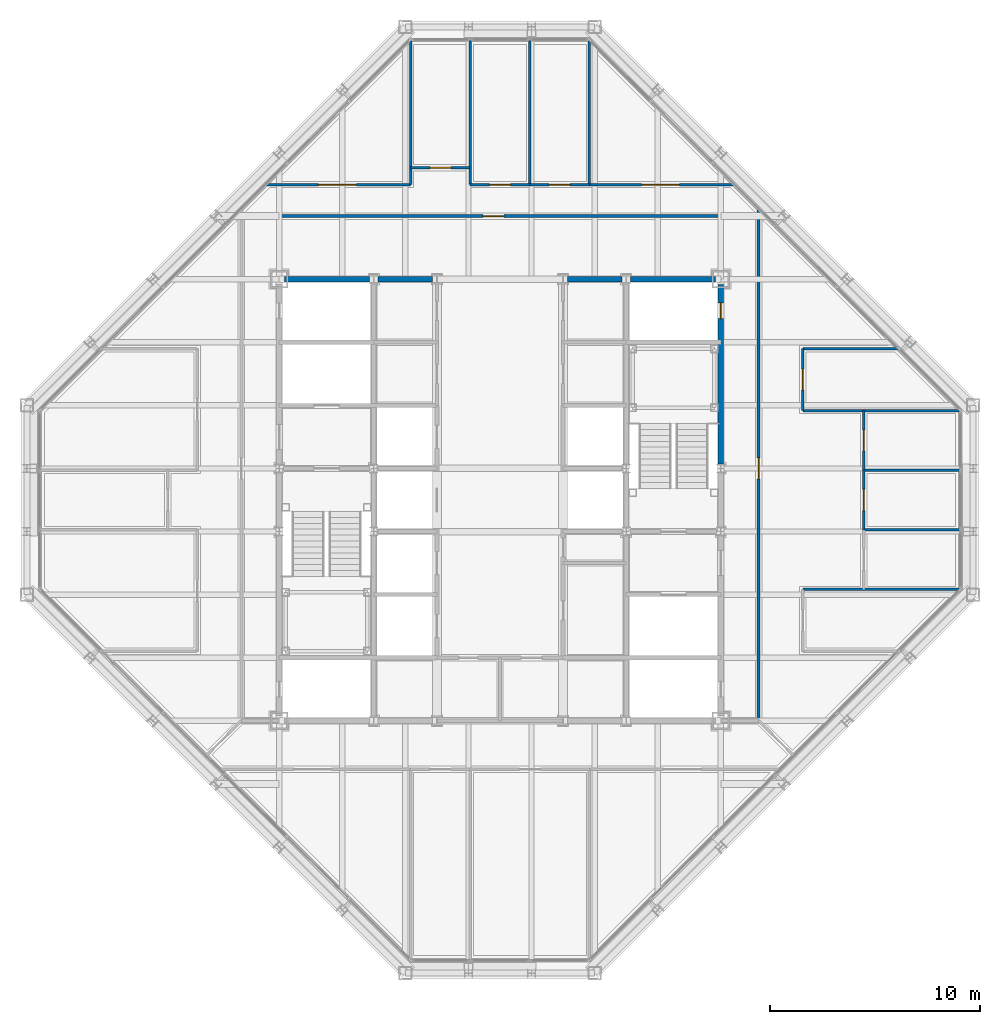
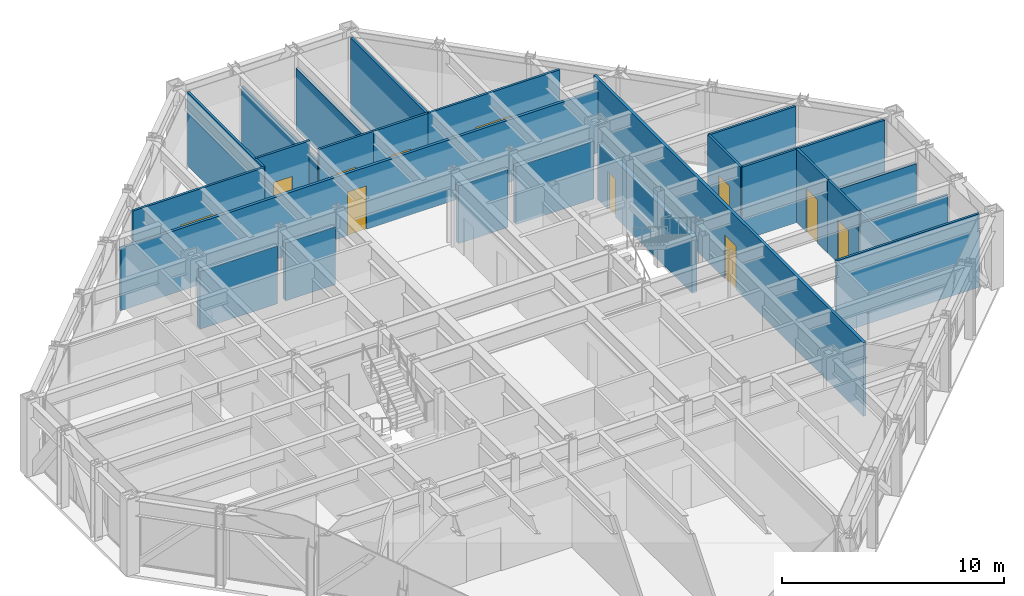
# One storey, part 12 of 15: 24 walls, 11 doors, 11 openings.
"""IFC4 building model written with IfcOpenShell, lengths in metres."""

from ifc_helpers import new_model, si_unit, direction, frame, frame_2d, origin, place, context, subcontext, project, spatial, rectangle, extrude, material, layer, layer_set, type_object, element, fill, save


model = new_model("IFC4")

# Units and contexts
model_context = context("Model", 3, precision=1e-05, world=origin(), true_north=direction((0.0, 1.0)))
body_context = subcontext(model_context, "Body", "Model", "MODEL_VIEW")
ifc_project = project(units=[si_unit("LENGTHUNIT", "METRE"), si_unit("AREAUNIT", "SQUARE_METRE"), si_unit("VOLUMEUNIT", "CUBIC_METRE"), si_unit("PLANEANGLEUNIT", "RADIAN"), si_unit("MASSUNIT", "GRAM", prefix="KILO")], contexts=[model_context])

# Site, building, storey
site_placement = place(None, origin())
site = spatial("IfcSite", under=ifc_project, at=site_placement, CompositionType="ELEMENT")
building_placement = place(site_placement, origin())
building = spatial("IfcBuilding", under=site, at=building_placement, Name="Chuquiago Exchange Tower", CompositionType="ELEMENT")
storey_placement = place(building_placement, frame((0.0, 0.0, 291.60009765625)))
storey = spatial("IfcBuildingStorey", under=building, at=storey_placement, Name="L65", CompositionType="ELEMENT", Elevation=291.60009765625)

# Walls
ifc_material_1 = material(Name="Concrete masonry, fully grouted", Category="masonry")
ifc_layer_1 = layer(ifc_material_1, 0.25)
ifc_layer_set_1 = layer_set([ifc_layer_1], Name="W1 core wall 250")
wall_type_1 = type_object("IfcWallType", Name="W1 core wall 250", PredefinedType="SOLIDWALL", material=ifc_layer_set_1)
wall_1_placement = place(storey_placement, frame((12.25, 33.0, 0.0), z_axis=(0.0, 0.0, 1.0), x_axis=(1.0, 0.0, 0.0)))
element("IfcWall", 1, at=wall_1_placement, inside=storey, type_object=wall_type_1, Name="CW-L65-11-0", PredefinedType="SOLIDWALL", context=body_context, shape_type="SweptSolid", body=[
    extrude(rectangle(XDim=4.041748046875, YDim=0.25, at=frame_2d((2.02099609375, 0.0))), origin(), (0.0, 0.0, 1.0), 3.181396484375),
])
for number, where, z_axis, x_axis, name in (
    (2, (16.708251953125, 33.0, 0.0), (0.0, 0.0, 1.0), (1.0, 0.0, 0.0), "CW-L65-11-1"),
    (3, (25.708251953125, 33.0, 0.0), (0.0, 0.0, 1.0), (1.0, 0.0, 0.0), "CW-L65-12-0"),
):
    element("IfcWall", number, at=place(storey_placement, frame(where, z_axis=z_axis, x_axis=x_axis)), inside=storey, type_object=wall_type_1, Name=name, PredefinedType="SOLIDWALL", context=body_context, shape_type="SweptSolid", body=[
        extrude(rectangle(XDim=2.58349609375, YDim=0.25, at=frame_2d((1.291748046875, 0.0))), origin(), (0.0, 0.0, 1.0), 3.181396484375),
    ])
wall_2_placement = place(storey_placement, frame((28.708251953125, 33.0, 0.0), z_axis=(0.0, 0.0, 1.0), x_axis=(1.0, 0.0, 0.0)))
element("IfcWall", 4, at=wall_2_placement, inside=storey, type_object=wall_type_1, Name="CW-L65-12-1", PredefinedType="SOLIDWALL", context=body_context, shape_type="SweptSolid", body=[
    extrude(rectangle(XDim=4.041748046875, YDim=0.25, at=frame_2d((2.02099609375, 0.0))), origin(), (0.0, 0.0, 1.0), 3.181396484375),
])

# Wall, opening, door
wall_3_placement = place(storey_placement, frame((33.0, 24.222412109375, 0.0), z_axis=(0.0, 0.0, 1.0), x_axis=(0.0, 1.0, 0.0)))
wall_3 = element("IfcWall", 5, at=wall_3_placement, inside=storey, type_object=wall_type_1, Name="CW-L65-25-2", PredefinedType="SOLIDWALL", context=body_context, shape_type="SweptSolid", body=[
    extrude(rectangle(XDim=8.527587890625, YDim=0.25, at=frame_2d((4.263671875, 0.0))), origin(), (0.0, 0.0, 1.0), 3.11279296875),
])
opening_1_placement = place(wall_3_placement, frame((6.902587890625, 0.0, 0.0)))
opening_1 = element("IfcOpeningElement", 6, at=opening_1_placement, cuts=wall_3, Name="Opening L65-010", PredefinedType="OPENING", context=body_context, shape_type="SweptSolid", body=[
    extrude(rectangle(XDim=0.75, YDim=2.10009765625, at=frame_2d((0.375, 1.050048828125))), frame((0.0, 0.135009765625, 0.0), z_axis=(0.0, -1.0, 0.0), x_axis=(1.0, 0.0, 0.0)), (0.0, 0.0, 1.0), 0.27001953125),
])
ifc_material_2 = material(Name="Steel door, painted", Category="steel")
door_type_1 = type_object("IfcDoorType", Name="D6 riser access door 750x2100", OperationType="SINGLE_SWING_LEFT", PredefinedType="DOOR", material=ifc_material_2)
door_1_placement = place(opening_1_placement, origin())
door_1 = element("IfcDoor", 7, at=door_1_placement, inside=storey, type_object=door_type_1, Name="Riser RE2 door", OperationType="SINGLE_SWING_RIGHT", OverallHeight=2.10009765625, OverallWidth=0.75, PredefinedType="DOOR", context=body_context, shape_type="SweptSolid", body=[
    extrude(rectangle(XDim=0.75, YDim=2.10009765625, at=frame_2d((0.375, 1.050048828125))), frame((0.0, 0.02490234375, 0.0), z_axis=(0.0, -1.0, 0.0), x_axis=(1.0, 0.0, 0.0)), (0.0, 0.0, 1.0), 0.050048828125),
])
fill(opening_1, door_1)

ifc_material_3 = material(Name="Gypsum board on steel studs, acoustic insulation", Category="steel")
ifc_layer_2 = layer(ifc_material_3, 0.14990234375)
ifc_layer_set_2 = layer_set([ifc_layer_2], Name="W11 corridor wall 150")
wall_type_2 = type_object("IfcWallType", Name="W11 corridor wall 150", PredefinedType="PARTITIONING", material=ifc_layer_set_2)
wall_4_placement = place(storey_placement, frame((9.885498046875, 36.0, 0.0), z_axis=(0.0, 0.0, 1.0), x_axis=(1.0, 0.0, 0.0)))
wall_4 = element("IfcWall", 8, at=wall_4_placement, inside=storey, type_object=wall_type_2, Name="PW-L65-GN0", PredefinedType="PARTITIONING", context=body_context, shape_type="SweptSolid", body=[
    extrude(rectangle(XDim=25.22900390625, YDim=0.14990234375, at=frame_2d((12.614501953125, 0.0))), origin(), (0.0, 0.0, 1.0), 3.427734375),
])
opening_2_placement = place(wall_4_placement, frame((11.800048828125, 0.0, 0.0)))
opening_2 = element("IfcOpeningElement", 9, at=opening_2_placement, cuts=wall_4, Name="Opening L65-040", PredefinedType="OPENING", context=body_context, shape_type="SweptSolid", body=[
    extrude(rectangle(XDim=1.0, YDim=2.39990234375, at=frame_2d((0.5, 1.199951171875))), frame((0.0, 0.0849609375, 0.0), z_axis=(0.0, -1.0, 0.0), x_axis=(1.0, 0.0, 0.0)), (0.0, 0.0, 1.0), 0.169921875),
])
ifc_material_4 = material(Name="Timber door, laminate faced", Category="wood")
door_type_2 = type_object("IfcDoorType", Name="D9 room door 1000x2400", OperationType="SINGLE_SWING_LEFT", PredefinedType="DOOR", material=ifc_material_4)
door_2_placement = place(opening_2_placement, origin())
door_2 = element("IfcDoor", 10, at=door_2_placement, inside=storey, type_object=door_type_2, Name="Team area door", OperationType="SINGLE_SWING_LEFT", OverallHeight=2.39990234375, OverallWidth=1.0, PredefinedType="DOOR", context=body_context, shape_type="SweptSolid", body=[
    extrude(rectangle(XDim=1.0, YDim=2.39990234375, at=frame_2d((0.5, 1.199951171875))), frame((0.0, 0.02490234375, 0.0), z_axis=(0.0, -1.0, 0.0), x_axis=(1.0, 0.0, 0.0)), (0.0, 0.0, 1.0), 0.050048828125),
])
fill(opening_2, door_2)

wall_5_placement = place(storey_placement, frame((34.800048828125, 12.0, 0.0), z_axis=(0.0, 0.0, 1.0), x_axis=(0.0, 1.0, 0.0)))
wall_5 = element("IfcWall", 11, at=wall_5_placement, inside=storey, type_object=wall_type_2, Name="PW-L65-GE0", PredefinedType="PARTITIONING", context=body_context, shape_type="SweptSolid", body=[
    extrude(rectangle(XDim=24.314453125, YDim=0.14990234375, at=frame_2d((12.1572265625, 0.0))), origin(), (0.0, 0.0, 1.0), 4.039794921875),
])
opening_3_placement = place(wall_5_placement, frame((11.5, 0.0, 0.0)))
opening_3 = element("IfcOpeningElement", 12, at=opening_3_placement, cuts=wall_5, Name="Opening L65-042", PredefinedType="OPENING", context=body_context, shape_type="SweptSolid", body=[
    extrude(rectangle(XDim=1.0, YDim=2.39990234375, at=frame_2d((0.5, 1.199951171875))), frame((0.0, 0.0849609375, 0.0), z_axis=(0.0, -1.0, 0.0), x_axis=(1.0, 0.0, 0.0)), (0.0, 0.0, 1.0), 0.169921875),
])
door_3_placement = place(opening_3_placement, frame((1.0, 0.0, 0.0), z_axis=(0.0, 0.0, 1.0), x_axis=(-1.0, 0.0, 0.0)))
door_3 = element("IfcDoor", 13, at=door_3_placement, inside=storey, type_object=door_type_2, Name="Team area door", OperationType="SINGLE_SWING_RIGHT", OverallHeight=2.39990234375, OverallWidth=1.0, PredefinedType="DOOR", context=body_context, shape_type="SweptSolid", body=[
    extrude(rectangle(XDim=1.0, YDim=2.39990234375, at=frame_2d((0.5, 1.199951171875))), frame((0.0, 0.02490234375, 0.0), z_axis=(0.0, -1.0, 0.0), x_axis=(1.0, 0.0, 0.0)), (0.0, 0.0, 1.0), 0.050048828125),
])
fill(opening_3, door_3)

# Walls
ifc_material_5 = material(Name="Gypsum board on steel studs", Category="steel")
ifc_layer_3 = layer(ifc_material_5, 0.1201171875)
ifc_layer_set_3 = layer_set([ifc_layer_3], Name="W4 partition 120")
wall_type_3 = type_object("IfcWallType", Name="W4 partition 120", PredefinedType="PARTITIONING", material=ifc_layer_set_3)
wall_6_placement = place(storey_placement, frame((44.333984375, 18.24853515625, 0.0), z_axis=(0.0, 0.0, 1.0), x_axis=(-1.0, 0.0, 0.0)))
element("IfcWall", 14, at=wall_6_placement, inside=storey, type_object=wall_type_3, Name="PW-L65-E01825", PredefinedType="PARTITIONING", context=body_context, shape_type="SweptSolid", body=[
    extrude(rectangle(XDim=7.43408203125, YDim=0.1201171875, at=frame_2d((3.717041015625, 0.0))), origin(), (0.0, 0.0, 1.0), 4.039794921875),
])
for number, where, z_axis, x_axis, name in (
    (15, (44.347412109375, 21.082763671875, 0.0), (0.0, 0.0, 1.0), (-1.0, 0.0, 0.0), "PW-L65-E02108"),
    (16, (44.347412109375, 23.917236328125, 0.0), (0.0, 0.0, 1.0), (-1.0, 0.0, 0.0), "PW-L65-E02392"),
):
    element("IfcWall", number, at=place(storey_placement, frame(where, z_axis=z_axis, x_axis=x_axis)), inside=storey, type_object=wall_type_3, Name=name, PredefinedType="PARTITIONING", context=body_context, shape_type="SweptSolid", body=[
        extrude(rectangle(XDim=4.54736328125, YDim=0.1201171875, at=frame_2d((2.273681640625, 0.0))), origin(), (0.0, 0.0, 1.0), 3.356689453125),
    ])
wall_7_placement = place(storey_placement, frame((44.333984375, 26.75146484375, 0.0), z_axis=(0.0, 0.0, 1.0), x_axis=(-1.0, 0.0, 0.0)))
element("IfcWall", 17, at=wall_7_placement, inside=storey, type_object=wall_type_3, Name="PW-L65-E02675", PredefinedType="PARTITIONING", context=body_context, shape_type="SweptSolid", body=[
    extrude(rectangle(XDim=7.43408203125, YDim=0.1201171875, at=frame_2d((3.717041015625, 0.0))), origin(), (0.0, 0.0, 1.0), 4.039794921875),
])
wall_8_placement = place(storey_placement, frame((41.392578125, 29.69287109375, 0.0), z_axis=(0.0, 0.0, 1.0), x_axis=(-1.0, 0.0, 0.0)))
element("IfcWall", 18, at=wall_8_placement, inside=storey, type_object=wall_type_3, Name="PW-L65-E02969", PredefinedType="PARTITIONING", context=body_context, shape_type="SweptSolid", body=[
    extrude(rectangle(XDim=4.49267578125, YDim=0.1201171875, at=frame_2d((2.246337890625, 0.0))), origin(), (0.0, 0.0, 1.0), 4.039794921875),
])

# Wall, opening, door
wall_9_placement = place(storey_placement, frame((39.800048828125, 21.082763671875, 0.0), z_axis=(0.0, 0.0, 1.0), x_axis=(0.0, 1.0, 0.0)))
wall_9 = element("IfcWall", 19, at=wall_9_placement, inside=storey, type_object=wall_type_3, Name="PW-L65-EF02108", PredefinedType="PARTITIONING", context=body_context, shape_type="SweptSolid", body=[
    extrude(rectangle(XDim=2.83447265625, YDim=0.1201171875, at=frame_2d((1.417236328125, 0.0))), origin(), (0.0, 0.0, 1.0), 4.039794921875),
])
opening_4_placement = place(wall_9_placement, frame((0.917236328125, 0.0, 0.0)))
opening_4 = element("IfcOpeningElement", 20, at=opening_4_placement, cuts=wall_9, Name="Opening L65-029", PredefinedType="OPENING", context=body_context, shape_type="SweptSolid", body=[
    extrude(rectangle(XDim=1.0, YDim=2.39990234375, at=frame_2d((0.5, 1.199951171875))), frame((0.0, 0.070068359375, 0.0), z_axis=(0.0, -1.0, 0.0), x_axis=(1.0, 0.0, 0.0)), (0.0, 0.0, 1.0), 0.14013671875),
])
door_4_placement = place(opening_4_placement, frame((1.0, 0.0, 0.0), z_axis=(0.0, 0.0, 1.0), x_axis=(-1.0, 0.0, 0.0)))
door_4 = element("IfcDoor", 21, at=door_4_placement, inside=storey, type_object=door_type_2, Name="Store door", OperationType="SINGLE_SWING_RIGHT", OverallHeight=2.39990234375, OverallWidth=1.0, PredefinedType="DOOR", context=body_context, shape_type="SweptSolid", body=[
    extrude(rectangle(XDim=1.0, YDim=2.39990234375, at=frame_2d((0.5, 1.199951171875))), frame((0.0, 0.02490234375, 0.0), z_axis=(0.0, -1.0, 0.0), x_axis=(1.0, 0.0, 0.0)), (0.0, 0.0, 1.0), 0.050048828125),
])
fill(opening_4, door_4)

wall_10_placement = place(storey_placement, frame((39.800048828125, 23.917236328125, 0.0), z_axis=(0.0, 0.0, 1.0), x_axis=(0.0, 1.0, 0.0)))
wall_10 = element("IfcWall", 22, at=wall_10_placement, inside=storey, type_object=wall_type_3, Name="PW-L65-EF02392", PredefinedType="PARTITIONING", context=body_context, shape_type="SweptSolid", body=[
    extrude(rectangle(XDim=2.834228515625, YDim=0.1201171875, at=frame_2d((1.4169921875, 0.0))), origin(), (0.0, 0.0, 1.0), 4.039794921875),
])
opening_5_placement = place(wall_10_placement, frame((0.9169921875, 0.0, 0.0)))
opening_5 = element("IfcOpeningElement", 23, at=opening_5_placement, cuts=wall_10, Name="Opening L65-030", PredefinedType="OPENING", context=body_context, shape_type="SweptSolid", body=[
    extrude(rectangle(XDim=1.0, YDim=2.39990234375, at=frame_2d((0.5, 1.199951171875))), frame((0.0, 0.070068359375, 0.0), z_axis=(0.0, -1.0, 0.0), x_axis=(1.0, 0.0, 0.0)), (0.0, 0.0, 1.0), 0.14013671875),
])
ifc_material_6 = material(Name="Timber frame door, full height glazed panel", Category="wood")
door_type_3 = type_object("IfcDoorType", Name="D14 glazed meeting room door 1000x2400", OperationType="SINGLE_SWING_LEFT", PredefinedType="DOOR", material=ifc_material_6)
door_5_placement = place(opening_5_placement, frame((1.0, 0.0, 0.0), z_axis=(0.0, 0.0, 1.0), x_axis=(-1.0, 0.0, 0.0)))
door_5 = element("IfcDoor", 24, at=door_5_placement, inside=storey, type_object=door_type_3, Name="Focus room door", OperationType="SINGLE_SWING_RIGHT", OverallHeight=2.39990234375, OverallWidth=1.0, PredefinedType="DOOR", context=body_context, shape_type="SweptSolid", body=[
    extrude(rectangle(XDim=1.0, YDim=2.39990234375, at=frame_2d((0.5, 1.199951171875))), frame((0.0, 0.02490234375, 0.0), z_axis=(0.0, -1.0, 0.0), x_axis=(1.0, 0.0, 0.0)), (0.0, 0.0, 1.0), 0.050048828125),
])
fill(opening_5, door_5)

wall_11_placement = place(storey_placement, frame((36.89990234375, 26.75146484375, 0.0), z_axis=(0.0, 0.0, 1.0), x_axis=(0.0, 1.0, 0.0)))
wall_11 = element("IfcWall", 25, at=wall_11_placement, inside=storey, type_object=wall_type_3, Name="PW-L65-EF02675", PredefinedType="PARTITIONING", context=body_context, shape_type="SweptSolid", body=[
    extrude(rectangle(XDim=2.94140625, YDim=0.1201171875, at=frame_2d((1.470703125, 0.0))), origin(), (0.0, 0.0, 1.0), 4.039794921875),
])
opening_6_placement = place(wall_11_placement, frame((0.970703125, 0.0, 0.0)))
opening_6 = element("IfcOpeningElement", 26, at=opening_6_placement, cuts=wall_11, Name="Opening L65-031", PredefinedType="OPENING", context=body_context, shape_type="SweptSolid", body=[
    extrude(rectangle(XDim=1.0, YDim=2.39990234375, at=frame_2d((0.5, 1.199951171875))), frame((0.0, 0.070068359375, 0.0), z_axis=(0.0, -1.0, 0.0), x_axis=(1.0, 0.0, 0.0)), (0.0, 0.0, 1.0), 0.14013671875),
])
door_6_placement = place(opening_6_placement, frame((1.0, 0.0, 0.0), z_axis=(0.0, 0.0, 1.0), x_axis=(-1.0, 0.0, 0.0)))
door_6 = element("IfcDoor", 27, at=door_6_placement, inside=storey, type_object=door_type_2, Name="Executive office door", OperationType="SINGLE_SWING_RIGHT", OverallHeight=2.39990234375, OverallWidth=1.0, PredefinedType="DOOR", context=body_context, shape_type="SweptSolid", body=[
    extrude(rectangle(XDim=1.0, YDim=2.39990234375, at=frame_2d((0.5, 1.199951171875))), frame((0.0, 0.02490234375, 0.0), z_axis=(0.0, -1.0, 0.0), x_axis=(1.0, 0.0, 0.0)), (0.0, 0.0, 1.0), 0.050048828125),
])
fill(opening_6, door_6)

# Walls
wall_12_placement = place(storey_placement, frame((18.24853515625, 44.333984375, 0.0), z_axis=(0.0, 0.0, 1.0), x_axis=(0.0, -1.0, 0.0)))
element("IfcWall", 28, at=wall_12_placement, inside=storey, type_object=wall_type_3, Name="PW-L65-N01825", PredefinedType="PARTITIONING", context=body_context, shape_type="SweptSolid", body=[
    extrude(rectangle(XDim=6.833984375, YDim=0.1201171875, at=frame_2d((3.4169921875, 0.0))), origin(), (0.0, 0.0, 1.0), 4.039794921875),
])
for number, where, z_axis, x_axis, name in (
    (29, (21.082763671875, 44.347412109375, 0.0), (0.0, 0.0, 1.0), (0.0, -1.0, 0.0), "PW-L65-N02108"),
    (30, (23.917236328125, 44.347412109375, 0.0), (0.0, 0.0, 1.0), (0.0, -1.0, 0.0), "PW-L65-N02392"),
):
    element("IfcWall", number, at=place(storey_placement, frame(where, z_axis=z_axis, x_axis=x_axis)), inside=storey, type_object=wall_type_3, Name=name, PredefinedType="PARTITIONING", context=body_context, shape_type="SweptSolid", body=[
        extrude(rectangle(XDim=6.847412109375, YDim=0.1201171875, at=frame_2d((3.423828125, 0.0))), origin(), (0.0, 0.0, 1.0), 3.356689453125),
    ])
wall_13_placement = place(storey_placement, frame((26.75146484375, 44.333984375, 0.0), z_axis=(0.0, 0.0, 1.0), x_axis=(0.0, -1.0, 0.0)))
element("IfcWall", 31, at=wall_13_placement, inside=storey, type_object=wall_type_3, Name="PW-L65-N02675", PredefinedType="PARTITIONING", context=body_context, shape_type="SweptSolid", body=[
    extrude(rectangle(XDim=6.833984375, YDim=0.1201171875, at=frame_2d((3.4169921875, 0.0))), origin(), (0.0, 0.0, 1.0), 4.039794921875),
])

# Wall, opening, door
wall_14_placement = place(storey_placement, frame((11.385498046875, 37.5, 0.0), z_axis=(0.0, 0.0, 1.0), x_axis=(1.0, 0.0, 0.0)))
wall_14 = element("IfcWall", 32, at=wall_14_placement, inside=storey, type_object=wall_type_3, Name="PW-L65-NF00942", PredefinedType="PARTITIONING", context=body_context, shape_type="SweptSolid", body=[
    extrude(rectangle(XDim=6.863037109375, YDim=0.1201171875, at=frame_2d((3.431640625, 0.0))), origin(), (0.0, 0.0, 1.0), 4.039794921875),
])
opening_7_placement = place(wall_14_placement, frame((2.479248046875, 0.0, 0.0)))
opening_7 = element("IfcOpeningElement", 33, at=opening_7_placement, cuts=wall_14, Name="Opening L65-032", PredefinedType="OPENING", context=body_context, shape_type="SweptSolid", body=[
    extrude(rectangle(XDim=1.800048828125, YDim=2.39990234375, at=frame_2d((0.89990234375, 1.199951171875))), frame((0.0, 0.070068359375, 0.0), z_axis=(0.0, -1.0, 0.0), x_axis=(1.0, 0.0, 0.0)), (0.0, 0.0, 1.0), 0.14013671875),
])
ifc_material_7 = material(Name="Timber door pair, laminate faced", Category="wood")
door_type_4 = type_object("IfcDoorType", Name="D15 double room door 1800x2400", OperationType="DOUBLE_DOOR_DOUBLE_SWING", PredefinedType="DOOR", material=ifc_material_7)
door_7_placement = place(opening_7_placement, origin())
door_7 = element("IfcDoor", 34, at=door_7_placement, inside=storey, type_object=door_type_4, Name="Broker lounge door", OperationType="DOUBLE_DOOR_DOUBLE_SWING", OverallHeight=2.39990234375, OverallWidth=1.800048828125, PredefinedType="DOOR", context=body_context, shape_type="SweptSolid", body=[
    extrude(rectangle(XDim=1.800048828125, YDim=2.39990234375, at=frame_2d((0.89990234375, 1.199951171875))), frame((0.0, 0.02490234375, 0.0), z_axis=(0.0, -1.0, 0.0), x_axis=(1.0, 0.0, 0.0)), (0.0, 0.0, 1.0), 0.050048828125),
])
fill(opening_7, door_7)

wall_15_placement = place(storey_placement, frame((18.24853515625, 38.300048828125, 0.0), z_axis=(0.0, 0.0, 1.0), x_axis=(1.0, 0.0, 0.0)))
wall_15 = element("IfcWall", 35, at=wall_15_placement, inside=storey, type_object=wall_type_3, Name="PW-L65-NF01825", PredefinedType="PARTITIONING", context=body_context, shape_type="SweptSolid", body=[
    extrude(rectangle(XDim=2.834228515625, YDim=0.1201171875, at=frame_2d((1.4169921875, 0.0))), origin(), (0.0, 0.0, 1.0), 4.039794921875),
])
opening_8_placement = place(wall_15_placement, frame((0.9169921875, 0.0, 0.0)))
opening_8 = element("IfcOpeningElement", 36, at=opening_8_placement, cuts=wall_15, Name="Opening L65-033", PredefinedType="OPENING", context=body_context, shape_type="SweptSolid", body=[
    extrude(rectangle(XDim=1.0, YDim=2.39990234375, at=frame_2d((0.5, 1.199951171875))), frame((0.0, 0.070068359375, 0.0), z_axis=(0.0, -1.0, 0.0), x_axis=(1.0, 0.0, 0.0)), (0.0, 0.0, 1.0), 0.14013671875),
])
door_8_placement = place(opening_8_placement, origin())
door_8 = element("IfcDoor", 37, at=door_8_placement, inside=storey, type_object=door_type_2, Name="Pantry door", OperationType="SINGLE_SWING_LEFT", OverallHeight=2.39990234375, OverallWidth=1.0, PredefinedType="DOOR", context=body_context, shape_type="SweptSolid", body=[
    extrude(rectangle(XDim=1.0, YDim=2.39990234375, at=frame_2d((0.5, 1.199951171875))), frame((0.0, 0.02490234375, 0.0), z_axis=(0.0, -1.0, 0.0), x_axis=(1.0, 0.0, 0.0)), (0.0, 0.0, 1.0), 0.050048828125),
])
fill(opening_8, door_8)

wall_16_placement = place(storey_placement, frame((21.082763671875, 37.5, 0.0), z_axis=(0.0, 0.0, 1.0), x_axis=(1.0, 0.0, 0.0)))
wall_16 = element("IfcWall", 38, at=wall_16_placement, inside=storey, type_object=wall_type_3, Name="PW-L65-NF02108", PredefinedType="PARTITIONING", context=body_context, shape_type="SweptSolid", body=[
    extrude(rectangle(XDim=2.83447265625, YDim=0.1201171875, at=frame_2d((1.417236328125, 0.0))), origin(), (0.0, 0.0, 1.0), 4.039794921875),
])
opening_9_placement = place(wall_16_placement, frame((0.917236328125, 0.0, 0.0)))
opening_9 = element("IfcOpeningElement", 39, at=opening_9_placement, cuts=wall_16, Name="Opening L65-034", PredefinedType="OPENING", context=body_context, shape_type="SweptSolid", body=[
    extrude(rectangle(XDim=1.0, YDim=2.39990234375, at=frame_2d((0.5, 1.199951171875))), frame((0.0, 0.070068359375, 0.0), z_axis=(0.0, -1.0, 0.0), x_axis=(1.0, 0.0, 0.0)), (0.0, 0.0, 1.0), 0.14013671875),
])
door_9_placement = place(opening_9_placement, origin())
door_9 = element("IfcDoor", 40, at=door_9_placement, inside=storey, type_object=door_type_2, Name="Office door", OperationType="SINGLE_SWING_LEFT", OverallHeight=2.39990234375, OverallWidth=1.0, PredefinedType="DOOR", context=body_context, shape_type="SweptSolid", body=[
    extrude(rectangle(XDim=1.0, YDim=2.39990234375, at=frame_2d((0.5, 1.199951171875))), frame((0.0, 0.02490234375, 0.0), z_axis=(0.0, -1.0, 0.0), x_axis=(1.0, 0.0, 0.0)), (0.0, 0.0, 1.0), 0.050048828125),
])
fill(opening_9, door_9)

wall_17_placement = place(storey_placement, frame((23.917236328125, 37.5, 0.0), z_axis=(0.0, 0.0, 1.0), x_axis=(1.0, 0.0, 0.0)))
wall_17 = element("IfcWall", 41, at=wall_17_placement, inside=storey, type_object=wall_type_3, Name="PW-L65-NF02392", PredefinedType="PARTITIONING", context=body_context, shape_type="SweptSolid", body=[
    extrude(rectangle(XDim=2.834228515625, YDim=0.1201171875, at=frame_2d((1.4169921875, 0.0))), origin(), (0.0, 0.0, 1.0), 4.039794921875),
])
opening_10_placement = place(wall_17_placement, frame((0.9169921875, 0.0, 0.0)))
opening_10 = element("IfcOpeningElement", 42, at=opening_10_placement, cuts=wall_17, Name="Opening L65-035", PredefinedType="OPENING", context=body_context, shape_type="SweptSolid", body=[
    extrude(rectangle(XDim=1.0, YDim=2.39990234375, at=frame_2d((0.5, 1.199951171875))), frame((0.0, 0.070068359375, 0.0), z_axis=(0.0, -1.0, 0.0), x_axis=(1.0, 0.0, 0.0)), (0.0, 0.0, 1.0), 0.14013671875),
])
door_10_placement = place(opening_10_placement, origin())
door_10 = element("IfcDoor", 43, at=door_10_placement, inside=storey, type_object=door_type_2, Name="Office door", OperationType="SINGLE_SWING_LEFT", OverallHeight=2.39990234375, OverallWidth=1.0, PredefinedType="DOOR", context=body_context, shape_type="SweptSolid", body=[
    extrude(rectangle(XDim=1.0, YDim=2.39990234375, at=frame_2d((0.5, 1.199951171875))), frame((0.0, 0.02490234375, 0.0), z_axis=(0.0, -1.0, 0.0), x_axis=(1.0, 0.0, 0.0)), (0.0, 0.0, 1.0), 0.050048828125),
])
fill(opening_10, door_10)

wall_18_placement = place(storey_placement, frame((26.75146484375, 37.5, 0.0), z_axis=(0.0, 0.0, 1.0), x_axis=(1.0, 0.0, 0.0)))
wall_18 = element("IfcWall", 44, at=wall_18_placement, inside=storey, type_object=wall_type_3, Name="PW-L65-NF02675", PredefinedType="PARTITIONING", context=body_context, shape_type="SweptSolid", body=[
    extrude(rectangle(XDim=6.863037109375, YDim=0.1201171875, at=frame_2d((3.431640625, 0.0))), origin(), (0.0, 0.0, 1.0), 4.039794921875),
])
opening_11_placement = place(wall_18_placement, frame((2.479248046875, 0.0, 0.0)))
opening_11 = element("IfcOpeningElement", 45, at=opening_11_placement, cuts=wall_18, Name="Opening L65-036", PredefinedType="OPENING", context=body_context, shape_type="SweptSolid", body=[
    extrude(rectangle(XDim=1.800048828125, YDim=2.39990234375, at=frame_2d((0.89990234375, 1.199951171875))), frame((0.0, 0.070068359375, 0.0), z_axis=(0.0, -1.0, 0.0), x_axis=(1.0, 0.0, 0.0)), (0.0, 0.0, 1.0), 0.14013671875),
])
door_11_placement = place(opening_11_placement, origin())
door_11 = element("IfcDoor", 46, at=door_11_placement, inside=storey, type_object=door_type_4, Name="Training room door", OperationType="DOUBLE_DOOR_DOUBLE_SWING", OverallHeight=2.39990234375, OverallWidth=1.800048828125, PredefinedType="DOOR", context=body_context, shape_type="SweptSolid", body=[
    extrude(rectangle(XDim=1.800048828125, YDim=2.39990234375, at=frame_2d((0.89990234375, 1.199951171875))), frame((0.0, 0.02490234375, 0.0), z_axis=(0.0, -1.0, 0.0), x_axis=(1.0, 0.0, 0.0)), (0.0, 0.0, 1.0), 0.050048828125),
])
fill(opening_11, door_11)

save(model, "model.ifc")
